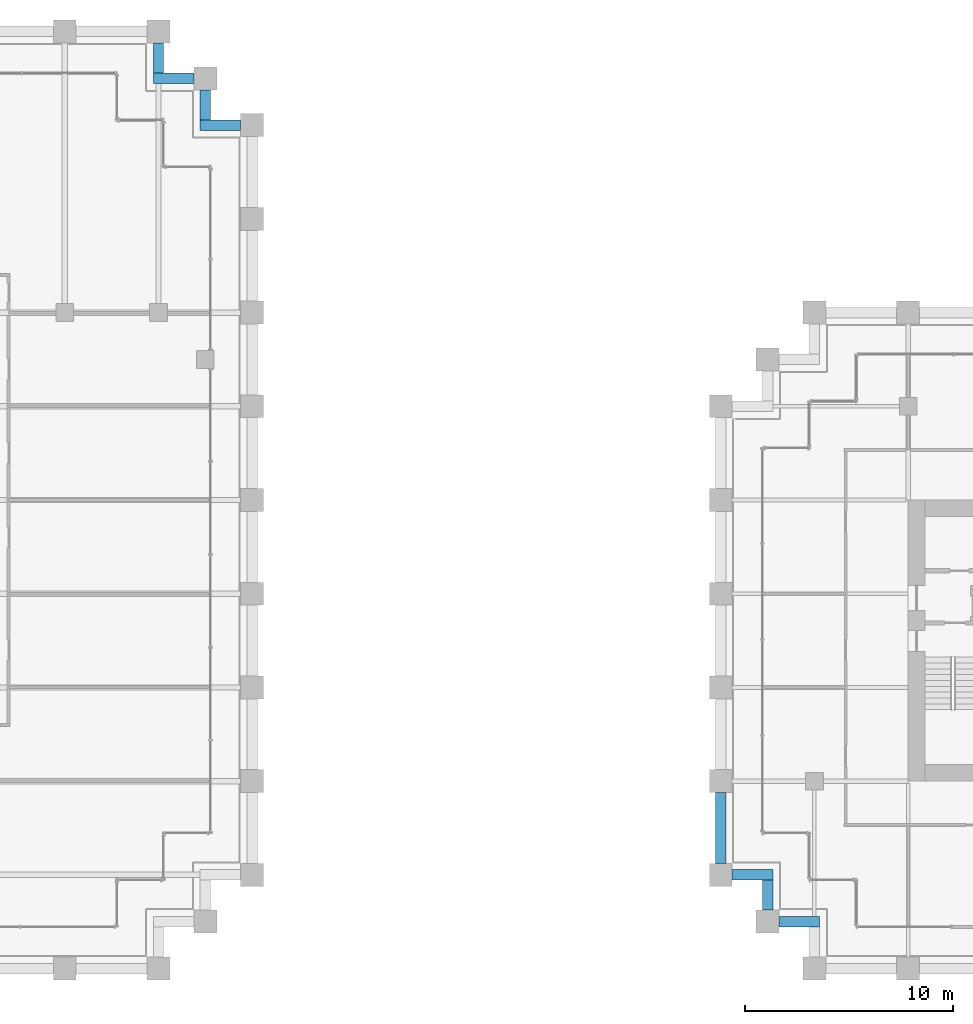
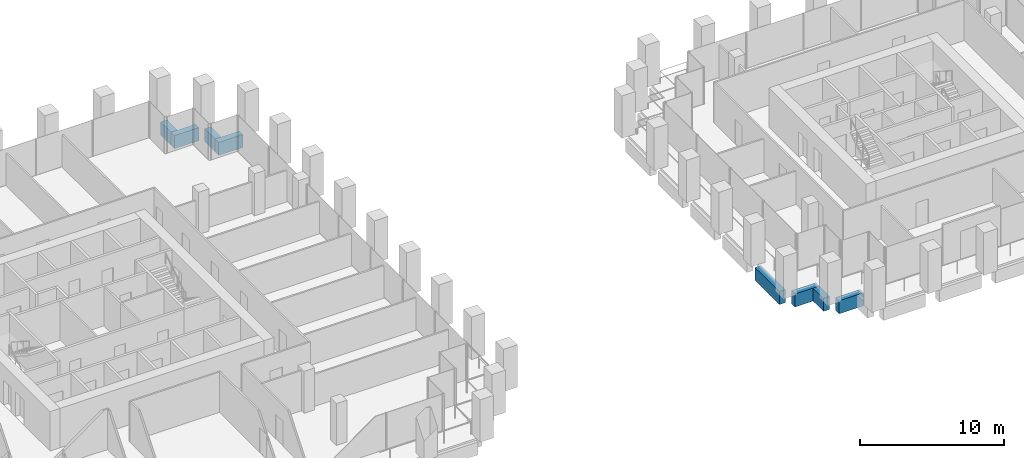
# One storey, part 33 of 56: 8 beams.
"""IFC4 building model written with IfcOpenShell, lengths in metres."""

from ifc_helpers import new_model, si_unit, direction, frame, origin, origin_2d, place, context, subcontext, project, spatial, rectangle, extrude, material, material_profile, profile_set, type_object, element, save


model = new_model("IFC4")

# Units and contexts
model_context = context("Model", 3, precision=1e-05, world=origin(), true_north=direction((0.0, 1.0)))
body_context = subcontext(model_context, "Body", "Model", "MODEL_VIEW")
ifc_project = project(units=[si_unit("LENGTHUNIT", "METRE"), si_unit("AREAUNIT", "SQUARE_METRE"), si_unit("VOLUMEUNIT", "CUBIC_METRE"), si_unit("PLANEANGLEUNIT", "RADIAN"), si_unit("MASSUNIT", "GRAM", prefix="KILO")], contexts=[model_context])

# Site, building, storey
site_placement = place(None, origin())
site = spatial("IfcSite", under=ifc_project, at=site_placement, CompositionType="ELEMENT")
building_placement = place(site_placement, origin())
building = spatial("IfcBuilding", under=site, at=building_placement, Name="Altepetl Exchange Towers", CompositionType="ELEMENT")
storey_placement = place(building_placement, frame((0.0, 0.0, 72.60009765625)))
storey = spatial("IfcBuildingStorey", under=building, at=storey_placement, Name="L17", CompositionType="ELEMENT", Elevation=72.60009765625)

# Beams
ifc_material_1 = material(Name="Concrete C50/60 precast with cantera rosa facing", Category="concrete")
ifc_material_profile_1 = material_profile(ifc_material_1, rectangle(XDim=0.5, YDim=1.10009765625, at=origin_2d()), Name="500 x 1100")
ifc_profile_set_1 = profile_set([ifc_material_profile_1], Name="Concrete C50/60 precast with cantera rosa facing")
beam_type_1 = type_object("IfcBeamType", Name="Spandrel beam 500x1100 cantera rosa", PredefinedType="SPANDREL", material=ifc_profile_set_1)
beam_1_placement = place(storey_placement, frame((71.449951171875, 67.5, -0.7001953125), z_axis=(-1.0, 0.0, 0.0), x_axis=(0.0, -1.0, 0.0)))
element("IfcBeam", 1, at=beam_1_placement, inside=storey, type_object=beam_type_1, Name="sp:A:L17:020", PredefinedType="SPANDREL", context=body_context, shape_type="SweptSolid", body=[
    extrude(rectangle(XDim=0.5, YDim=1.10009765625, at=origin_2d()), origin(), (0.0, 0.0, 1.0), 1.949951171875),
])
beam_2_placement = place(storey_placement, frame((69.75, 67.75, -0.7001953125), z_axis=(0.0, 1.0, 0.0), x_axis=(-1.0, 0.0, 0.0)))
element("IfcBeam", 2, at=beam_2_placement, inside=storey, type_object=beam_type_1, Name="sp:A:L17:021", PredefinedType="SPANDREL", context=body_context, shape_type="SweptSolid", body=[
    extrude(rectangle(XDim=0.5, YDim=1.10009765625, at=origin_2d()), origin(), (0.0, 0.0, 1.0), 1.449951171875),
])
beam_3_placement = place(storey_placement, frame((69.199951171875, 69.75, -0.7001953125), z_axis=(-1.0, 0.0, 0.0), x_axis=(0.0, -1.0, 0.0)))
element("IfcBeam", 3, at=beam_3_placement, inside=storey, type_object=beam_type_1, Name="sp:A:L17:022", PredefinedType="SPANDREL", context=body_context, shape_type="SweptSolid", body=[
    extrude(rectangle(XDim=0.5, YDim=1.10009765625, at=origin_2d()), origin(), (0.0, 0.0, 1.0), 1.949951171875),
])
beam_4_placement = place(storey_placement, frame((67.5, 70.0, -0.7001953125), z_axis=(0.0, 1.0, 0.0), x_axis=(-1.0, 0.0, 0.0)))
element("IfcBeam", 4, at=beam_4_placement, inside=storey, type_object=beam_type_1, Name="sp:A:L17:023", PredefinedType="SPANDREL", context=body_context, shape_type="SweptSolid", body=[
    extrude(rectangle(XDim=0.5, YDim=1.10009765625, at=origin_2d()), origin(), (0.0, 0.0, 1.0), 1.449951171875),
])
ifc_material_2 = material(Name="Concrete C50/60 precast with tezontle facing", Category="concrete")
ifc_material_profile_2 = material_profile(ifc_material_2, rectangle(XDim=0.5, YDim=1.10009765625, at=origin_2d()), Name="500 x 1100")
ifc_profile_set_2 = profile_set([ifc_material_profile_2], Name="Concrete C50/60 precast with tezontle facing")
beam_type_2 = type_object("IfcBeamType", Name="Spandrel beam 500x1100 tezontle", PredefinedType="SPANDREL", material=ifc_profile_set_2)
beam_5_placement = place(storey_placement, frame((94.5, 35.449951171875, -0.7001953125), z_axis=(0.0, -1.0, 0.0), x_axis=(1.0, 0.0, 0.0)))
element("IfcBeam", 5, at=beam_5_placement, inside=storey, type_object=beam_type_2, Name="sp:B:L17:031", PredefinedType="SPANDREL", context=body_context, shape_type="SweptSolid", body=[
    extrude(rectangle(XDim=0.5, YDim=1.10009765625, at=origin_2d()), origin(), (0.0, 0.0, 1.0), 3.39990234375),
])
beam_6_placement = place(storey_placement, frame((95.050048828125, 31.5, -0.7001953125), z_axis=(1.0, 0.0, 0.0), x_axis=(0.0, 1.0, 0.0)))
element("IfcBeam", 6, at=beam_6_placement, inside=storey, type_object=beam_type_2, Name="sp:B:L17:032", PredefinedType="SPANDREL", context=body_context, shape_type="SweptSolid", body=[
    extrude(rectangle(XDim=0.5, YDim=1.10009765625, at=origin_2d()), origin(), (0.0, 0.0, 1.0), 1.949951171875),
])
beam_7_placement = place(storey_placement, frame((96.75, 31.25, -0.7001953125), z_axis=(0.0, -1.0, 0.0), x_axis=(1.0, 0.0, 0.0)))
element("IfcBeam", 7, at=beam_7_placement, inside=storey, type_object=beam_type_2, Name="sp:B:L17:033", PredefinedType="SPANDREL", context=body_context, shape_type="SweptSolid", body=[
    extrude(rectangle(XDim=0.5, YDim=1.10009765625, at=origin_2d()), origin(), (0.0, 0.0, 1.0), 1.449951171875),
])
beam_8_placement = place(storey_placement, frame((97.300048828125, 29.25, -0.7001953125), z_axis=(1.0, 0.0, 0.0), x_axis=(0.0, 1.0, 0.0)))
element("IfcBeam", 8, at=beam_8_placement, inside=storey, type_object=beam_type_2, Name="sp:B:L17:034", PredefinedType="SPANDREL", context=body_context, shape_type="SweptSolid", body=[
    extrude(rectangle(XDim=0.5, YDim=1.10009765625, at=origin_2d()), origin(), (0.0, 0.0, 1.0), 1.949951171875),
])

save(model, "model.ifc")
